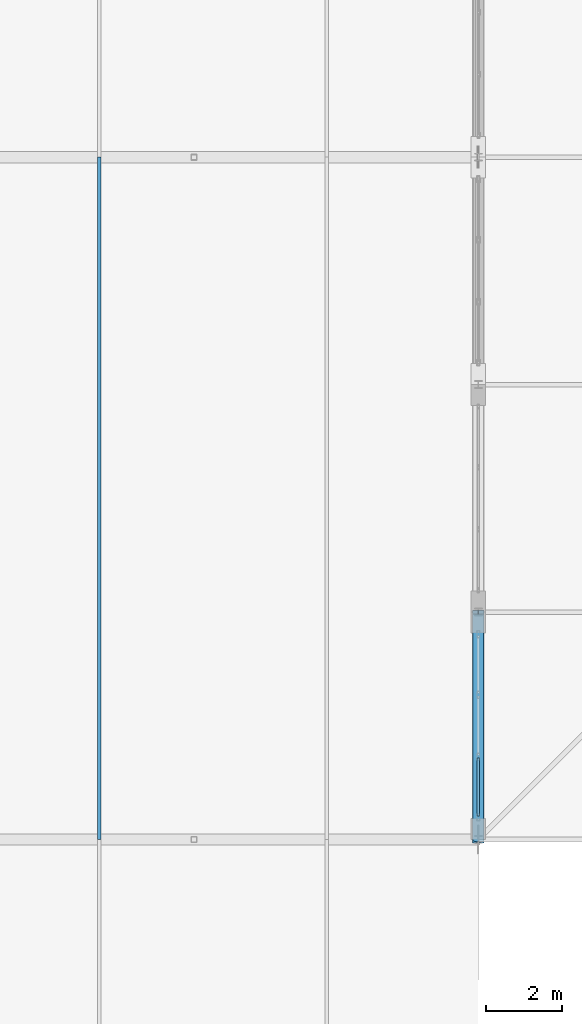
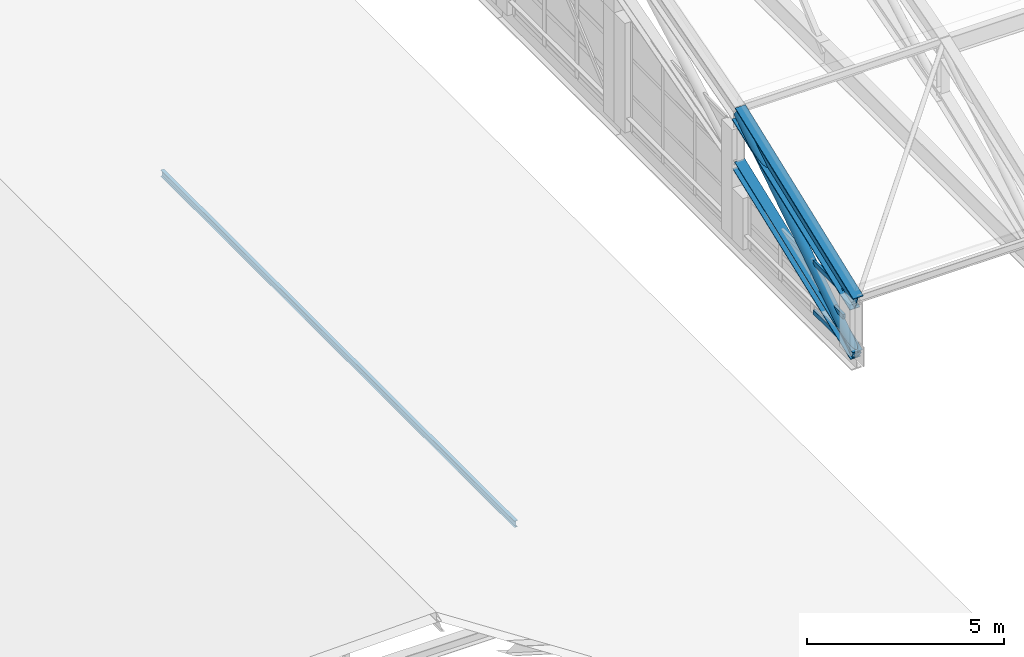
# One storey, part 70 of 204: 7 members, 1 element without a shape of its own.
"""IFC4 building model written with IfcOpenShell, lengths in metres."""

from ifc_helpers import new_model, si_unit, direction, frame, origin, origin_2d, place, context, subcontext, project, spatial, hollow_rectangle, hollow_circle, i_section, extrude, material, layer, layer_set, material_profile, profile_set, type_object, element, aggregate, save


model = new_model("IFC4")

# Units and contexts
model_context = context("Model", 3, precision=1e-05, world=origin(), true_north=direction((0.0, 1.0)))
body_context = subcontext(model_context, "Body", "Model", "MODEL_VIEW")
ifc_project = project(units=[si_unit("LENGTHUNIT", "METRE"), si_unit("AREAUNIT", "SQUARE_METRE"), si_unit("VOLUMEUNIT", "CUBIC_METRE"), si_unit("PLANEANGLEUNIT", "RADIAN"), si_unit("MASSUNIT", "GRAM", prefix="KILO")], contexts=[model_context])

# Site, building, storey
site_placement = place(None, origin())
site = spatial("IfcSite", under=ifc_project, at=site_placement, CompositionType="ELEMENT")
building_placement = place(site_placement, origin())
building = spatial("IfcBuilding", under=site, at=building_placement, Name="Zilviju Railside Exhibition Hall", CompositionType="ELEMENT")
storey_placement = place(building_placement, frame((0.0, 0.0, 21.0)))
storey = spatial("IfcBuildingStorey", under=building, at=storey_placement, Name="RF", CompositionType="ELEMENT", Elevation=21.0)

# Curtain wall, members
ifc_material_1 = material(Name="Thermally broken aluminium-steel triple-glazed curtain wall", Category="steel")
ifc_layer = layer(ifc_material_1, 0.179931640625)
ifc_layer_set = layer_set([ifc_layer], Name="Thermally broken aluminium-steel triple-glazed curtain wall")
curtain_wall_type = type_object("IfcCurtainWallType", Name="CW-BAY-19", PredefinedType="USERDEFINED", material=ifc_layer_set)
curtain_wall_placement = place(storey_placement, origin())
curtain_wall = element("IfcCurtainWall", 1, at=curtain_wall_placement, inside=storey, type_object=curtain_wall_type, Name="North Hall Arch Lower Tympanum Glazing West P1", ObjectType="GLAZED CURTAIN WALL", PredefinedType="USERDEFINED")
ifc_material_2 = material(Name="Thermally broken anodized aluminium transom", Category="aluminium")
ifc_material_profile_1 = material_profile(ifc_material_2, hollow_rectangle(XDim=0.074951171875, YDim=0.139892578125, WallThickness=0.0048828125, at=origin_2d()), Name="TRANSOM 140x75x5")
ifc_profile_set_1 = profile_set([ifc_material_profile_1], Name="Thermally broken anodized aluminium transom")
member_type_1 = type_object("IfcMemberType", Name="CWT-75x140", PredefinedType="USERDEFINED", material=ifc_profile_set_1)
member_1_placement = place(storey_placement, frame((78.0, 84.625, -3.5625), z_axis=(0.0, 1.0, 0.0), x_axis=(-1.0, 0.0, 0.0)))
member_1 = element("IfcMember", 2, at=member_1_placement, type_object=member_type_1, Name="CW-19 transom 1.1", ObjectType="TRANSOM", PredefinedType="USERDEFINED", context=body_context, shape_type="SweptSolid", body=[
    extrude(hollow_rectangle(XDim=0.074951171875, YDim=0.139892578125, WallThickness=0.0048828125, at=origin_2d()), origin(), (0.0, 0.0, 1.0), 1.520751953125),
])
member_2_placement = place(storey_placement, frame((78.0, 84.625, -2.800048828125), z_axis=(0.0, 1.0, 0.0), x_axis=(-1.0, 0.0, 0.0)))
member_2 = element("IfcMember", 3, at=member_2_placement, type_object=member_type_1, Name="CW-19 transom 1.2", ObjectType="TRANSOM", PredefinedType="USERDEFINED", context=body_context, shape_type="SweptSolid", body=[
    extrude(hollow_rectangle(XDim=0.074951171875, YDim=0.139892578125, WallThickness=0.0048828125, at=origin_2d()), origin(), (0.0, 0.0, 1.0), 1.520751953125),
])
member_3_placement = place(storey_placement, frame((78.0, 84.625, -2.03759765625), z_axis=(0.0, 1.0, 0.0), x_axis=(-1.0, 0.0, 0.0)))
member_3 = element("IfcMember", 4, at=member_3_placement, type_object=member_type_1, Name="CW-19 transom 1.3", ObjectType="TRANSOM", PredefinedType="USERDEFINED", context=body_context, shape_type="SweptSolid", body=[
    extrude(hollow_rectangle(XDim=0.074951171875, YDim=0.139892578125, WallThickness=0.0048828125, at=origin_2d()), origin(), (0.0, 0.0, 1.0), 1.520751953125),
])
aggregate(curtain_wall, [member_1, member_2, member_3])

# Members
ifc_material_3 = material(Name="Steel S355ML", Category="steel")
ifc_material_profile_2 = material_profile(ifc_material_3, hollow_circle(Radius=0.136474609375, WallThickness=0.012451171875, at=origin_2d()), Name="CHS 273.0x12.5")
ifc_profile_set_2 = profile_set([ifc_material_profile_2], Name="Steel S355ML")
member_type_2 = type_object("IfcMemberType", Name="TR-BR-CHS273", PredefinedType="BRACE", material=ifc_profile_set_2)
member_4_placement = place(storey_placement, frame((78.0, 84.0, -3.60009765625), z_axis=(0.0, 0.838995406637, 0.544138500423), x_axis=(-1.0, 0.0, 0.0)))
element("IfcMember", 5, at=member_4_placement, inside=storey, type_object=member_type_2, Name="V2 Parabolic Arch Web Diagonal X=78.0 P1", PredefinedType="BRACE", context=body_context, shape_type="SweptSolid", body=[
    extrude(hollow_circle(Radius=0.136474609375, WallThickness=0.012451171875, at=origin_2d()), origin(), (0.0, 0.0, 1.0), 7.1513671875),
])
ifc_material_profile_3 = material_profile(ifc_material_3, i_section(OverallWidth=0.300048828125, OverallDepth=0.300048828125, WebThickness=0.010986328125, FlangeThickness=0.01904296875, at=origin_2d()), Name="HEB 300")
ifc_profile_set_3 = profile_set([ifc_material_profile_3], Name="Steel S355ML")
member_type_3 = type_object("IfcMemberType", Name="TR-CH-HEB300", PredefinedType="CHORD", material=ifc_profile_set_3)
member_5_placement = place(storey_placement, frame((78.0, 84.0, -3.60009765625), z_axis=(0.0, 0.934187521086, 0.35678239229), x_axis=(-1.0, 0.0, 0.0)))
element("IfcMember", 6, at=member_5_placement, inside=storey, type_object=member_type_3, Name="V2 Parabolic Arch Bottom Chord X=78.0 P1", PredefinedType="CHORD", context=body_context, shape_type="SweptSolid", body=[
    extrude(i_section(OverallWidth=0.300048828125, OverallDepth=0.300048828125, WebThickness=0.010986328125, FlangeThickness=0.01904296875, at=origin_2d()), origin(), (0.0, 0.0, 1.0), 6.422607421875),
])
ifc_material_profile_4 = material_profile(ifc_material_3, i_section(OverallWidth=0.300048828125, OverallDepth=0.5, WebThickness=0.014404296875, FlangeThickness=0.028076171875, at=origin_2d()), Name="HEB 500")
ifc_profile_set_4 = profile_set([ifc_material_profile_4], Name="Steel S355ML")
member_type_4 = type_object("IfcMemberType", Name="TR-CH-HEB500-ML", PredefinedType="CHORD", material=ifc_profile_set_4)
member_6_placement = place(storey_placement, frame((78.0, 84.0, -2.0), z_axis=(0.0, 0.934200190194, 0.356749218138), x_axis=(-1.0, 0.0, 0.0)))
element("IfcMember", 7, at=member_6_placement, inside=storey, type_object=member_type_4, Name="V2 Parabolic Arch Top Chord X=78.0 P1", PredefinedType="CHORD", context=body_context, shape_type="SweptSolid", body=[
    extrude(i_section(OverallWidth=0.300048828125, OverallDepth=0.5, WebThickness=0.014404296875, FlangeThickness=0.028076171875, at=origin_2d()), origin(), (0.0, 0.0, 1.0), 6.422607421875),
])
ifc_material_4 = material(Name="Steel S355J2", Category="steel")
ifc_material_profile_5 = material_profile(ifc_material_4, i_section(OverallWidth=0.10009765625, OverallDepth=0.199951171875, WebThickness=0.005615234375, FlangeThickness=0.008544921875, at=origin_2d()), Name="IPE 200")
ifc_profile_set_5 = profile_set([ifc_material_profile_5], Name="Steel S355J2")
member_type_5 = type_object("IfcMemberType", Name="TR-PUR-IPE200", PredefinedType="PURLIN", material=ifc_profile_set_5)
member_7_placement = place(storey_placement, frame((68.0, 84.0, -5.360107421875), z_axis=(0.0, 1.0, 0.0), x_axis=(-1.0, 0.0, 0.0)))
element("IfcMember", 8, at=member_7_placement, inside=storey, type_object=member_type_5, Name="Concourse Lantern Purlin X=68.0", PredefinedType="PURLIN", context=body_context, shape_type="SweptSolid", body=[
    extrude(i_section(OverallWidth=0.10009765625, OverallDepth=0.199951171875, WebThickness=0.005615234375, FlangeThickness=0.008544921875, at=origin_2d()), origin(), (0.0, 0.0, 1.0), 18.0),
])

save(model, "model.ifc")
